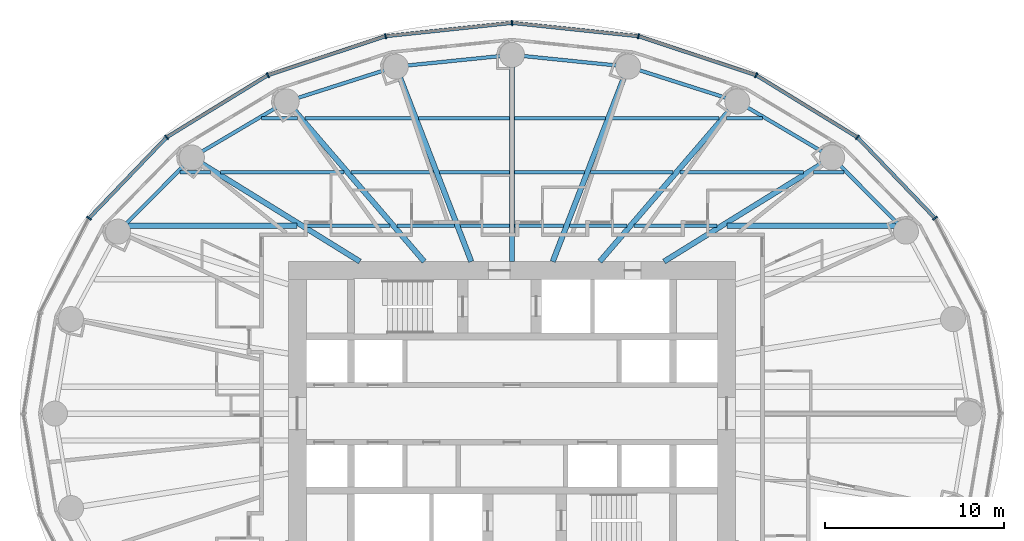
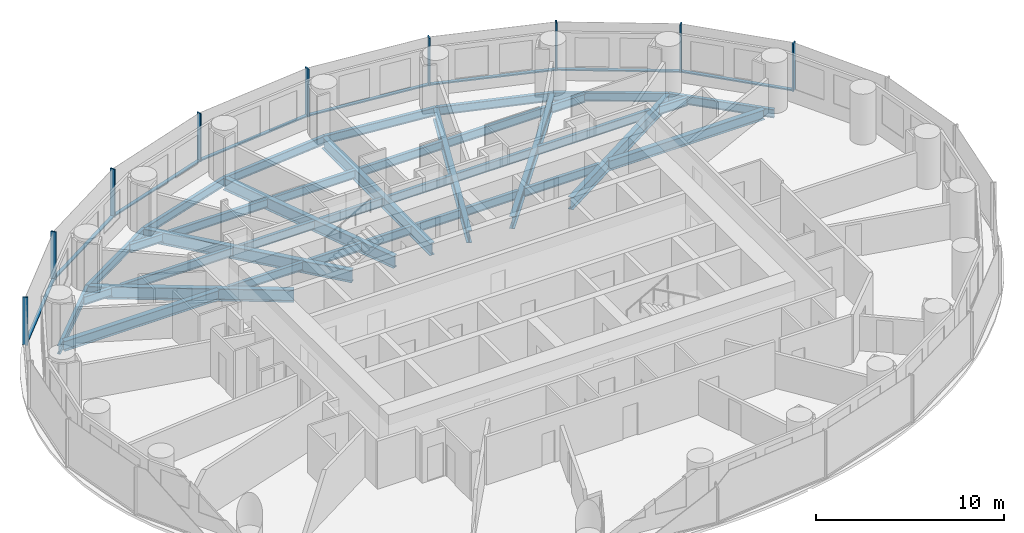
# One storey, part 4 of 14: 37 beams, 17 members, 2 elements without a shape of their own.
"""IFC4 building model written with IfcOpenShell, lengths in metres."""

from ifc_helpers import new_model, si_unit, direction, frame, origin, origin_2d, place, context, subcontext, project, spatial, rectangle, i_section, extrude, material, material_profile, profile_set, type_object, element, aggregate, save


model = new_model("IFC4")

# Units and contexts
model_context = context("Model", 3, precision=1e-05, world=origin(), true_north=direction((0.0, 1.0)))
body_context = subcontext(model_context, "Body", "Model", "MODEL_VIEW")
ifc_project = project(units=[si_unit("LENGTHUNIT", "METRE"), si_unit("AREAUNIT", "SQUARE_METRE"), si_unit("VOLUMEUNIT", "CUBIC_METRE"), si_unit("PLANEANGLEUNIT", "RADIAN"), si_unit("MASSUNIT", "GRAM", prefix="KILO")], contexts=[model_context])

# Site, building, storey
site_placement = place(None, origin())
site = spatial("IfcSite", under=ifc_project, at=site_placement, CompositionType="ELEMENT")
building_placement = place(site_placement, origin())
building = spatial("IfcBuilding", under=site, at=building_placement, Name="Hankou Lantern Tower", CompositionType="ELEMENT")
storey_placement = place(building_placement, frame((0.0, 0.0, 87.0)))
storey = spatial("IfcBuildingStorey", under=building, at=storey_placement, Name="L22", CompositionType="ELEMENT", Elevation=87.0)

# Beams
ifc_material_1 = material(Name="Steel Q355B", Category="steel")
ifc_material_profile_1 = material_profile(ifc_material_1, i_section(OverallWidth=0.199951171875, OverallDepth=0.550048828125, WebThickness=0.010009765625, FlangeThickness=0.01611328125, FilletRadius=0.012939453125, at=origin_2d()), Name="HN550x200x10x16")
ifc_profile_set_1 = profile_set([ifc_material_profile_1], Name="Steel Q355B")
beam_type_1 = type_object("IfcBeamType", Name="EB6 RING BEAM HN550x200x10x16", PredefinedType="SPANDREL", material=ifc_profile_set_1)
beam_1_placement = place(storey_placement, frame((22.01904296875, 10.170166015625, -0.455078125), z_axis=(-0.705727798394, 0.708483079949, 0.0), x_axis=(-0.708483079949, -0.705727798394, 0.0)))
element("IfcBeam", 1, at=beam_1_placement, inside=storey, type_object=beam_type_1, Name="Ring beam R03-R04 L22", PredefinedType="SPANDREL", context=body_context, shape_type="SweptSolid", body=[
    extrude(i_section(OverallWidth=0.199951171875, OverallDepth=0.550048828125, WebThickness=0.010009765625, FlangeThickness=0.01611328125, FilletRadius=0.012939453125, at=origin_2d()), origin(), (0.0, 0.0, 1.0), 5.84814453125),
])
beam_2_placement = place(storey_placement, frame((17.891845703125, 14.3134765625, -0.455078125), z_axis=(-0.860881533543, 0.508805449268, 0.0), x_axis=(-0.508805449268, -0.860881533543, 0.0)))
element("IfcBeam", 2, at=beam_2_placement, inside=storey, type_object=beam_type_1, Name="Ring beam R04-R05 L22", PredefinedType="SPANDREL", context=body_context, shape_type="SweptSolid", body=[
    extrude(i_section(OverallWidth=0.199951171875, OverallDepth=0.550048828125, WebThickness=0.010009765625, FlangeThickness=0.01611328125, FilletRadius=0.012939453125, at=origin_2d()), origin(), (0.0, 0.0, 1.0), 6.15771484375),
])
beam_3_placement = place(storey_placement, frame((12.5908203125, 17.446533203125, -0.455078125), z_axis=(-0.952690479428, 0.303942182671, 0.0), x_axis=(-0.303942182671, -0.952690479428, 0.0)))
element("IfcBeam", 3, at=beam_3_placement, inside=storey, type_object=beam_type_1, Name="Ring beam R05-R06 L22", PredefinedType="SPANDREL", context=body_context, shape_type="SweptSolid", body=[
    extrude(i_section(OverallWidth=0.199951171875, OverallDepth=0.550048828125, WebThickness=0.010009765625, FlangeThickness=0.01611328125, FilletRadius=0.012939453125, at=origin_2d()), origin(), (0.0, 0.0, 1.0), 6.398681640625),
])
for number, where, z_axis, x_axis, name in (
    (4, (6.494873046875, 19.391357421875, -0.455078125), (-0.994896616842, 0.100899562915, 0.0), (-0.100899562915, -0.994896616842, 0.0), "Ring beam R06-R07 L22"),
    (5, (0.0, 20.050048828125, -0.455078125), (-0.994896616842, -0.100899562915, 0.0), (0.100899562915, -0.994896616842, 0.0), "Ring beam R07-R08 L22"),
):
    element("IfcBeam", number, at=place(storey_placement, frame(where, z_axis=z_axis, x_axis=x_axis)), inside=storey, type_object=beam_type_1, Name=name, PredefinedType="SPANDREL", context=body_context, shape_type="SweptSolid", body=[
        extrude(i_section(OverallWidth=0.199951171875, OverallDepth=0.550048828125, WebThickness=0.010009765625, FlangeThickness=0.01611328125, FilletRadius=0.012939453125, at=origin_2d()), origin(), (0.0, 0.0, 1.0), 6.528076171875),
    ])
beam_4_placement = place(storey_placement, frame((-6.494873046875, 19.391357421875, -0.455078125), z_axis=(-0.952690479428, -0.303942182671, 0.0), x_axis=(0.303942182671, -0.952690479428, 0.0)))
element("IfcBeam", 6, at=beam_4_placement, inside=storey, type_object=beam_type_1, Name="Ring beam R08-R09 L22", PredefinedType="SPANDREL", context=body_context, shape_type="SweptSolid", body=[
    extrude(i_section(OverallWidth=0.199951171875, OverallDepth=0.550048828125, WebThickness=0.010009765625, FlangeThickness=0.01611328125, FilletRadius=0.012939453125, at=origin_2d()), origin(), (0.0, 0.0, 1.0), 6.398681640625),
])
beam_5_placement = place(storey_placement, frame((-12.5908203125, 17.446533203125, -0.455078125), z_axis=(-0.860881533543, -0.508805449268, 0.0), x_axis=(0.508805449268, -0.860881533543, 0.0)))
element("IfcBeam", 7, at=beam_5_placement, inside=storey, type_object=beam_type_1, Name="Ring beam R09-R10 L22", PredefinedType="SPANDREL", context=body_context, shape_type="SweptSolid", body=[
    extrude(i_section(OverallWidth=0.199951171875, OverallDepth=0.550048828125, WebThickness=0.010009765625, FlangeThickness=0.01611328125, FilletRadius=0.012939453125, at=origin_2d()), origin(), (0.0, 0.0, 1.0), 6.15771484375),
])
beam_6_placement = place(storey_placement, frame((-17.891845703125, 14.3134765625, -0.455078125), z_axis=(-0.705727798394, -0.708483079949, 0.0), x_axis=(0.708483079949, -0.705727798394, 0.0)))
element("IfcBeam", 8, at=beam_6_placement, inside=storey, type_object=beam_type_1, Name="Ring beam R10-R11 L22", PredefinedType="SPANDREL", context=body_context, shape_type="SweptSolid", body=[
    extrude(i_section(OverallWidth=0.199951171875, OverallDepth=0.550048828125, WebThickness=0.010009765625, FlangeThickness=0.01611328125, FilletRadius=0.012939453125, at=origin_2d()), origin(), (0.0, 0.0, 1.0), 5.84814453125),
])

# Curtain wall, members
ifc_material_2 = material(Name="Glass, dark grey tinted laminated", Category="glass")
curtain_wall_type = type_object("IfcCurtainWallType", Name="CWA OUTER SKIN LOW-RISE", PredefinedType="USERDEFINED", material=ifc_material_2)
curtain_wall_1_placement = place(storey_placement, origin())
curtain_wall_1 = element("IfcCurtainWall", 9, at=curtain_wall_1_placement, inside=storey, type_object=curtain_wall_type, Name="CWA L22 OS1", ObjectType="OUTER SKIN LOW-RISE", PredefinedType="USERDEFINED")
ifc_material_3 = material(Name="Aluminium, black anodised", Category="aluminium")
ifc_material_profile_2 = material_profile(ifc_material_3, rectangle(XDim=0.080078125, YDim=0.300048828125, at=origin_2d()), Name="MU1 80X300")
ifc_profile_set_2 = profile_set([ifc_material_profile_2], Name="Aluminium, black anodised")
member_type_1 = type_object("IfcMemberType", Name="MU1 OUTER SKIN MULLION 80X300", PredefinedType="MULLION", material=ifc_profile_set_2)
member_1_placement = place(storey_placement, frame((23.642578125, 10.919921875, 0.0), z_axis=(0.0, 0.0, 1.0), x_axis=(-0.585205735974, 0.810884854084, 0.0)))
member_1 = element("IfcMember", 10, at=member_1_placement, type_object=member_type_1, Name="CWA mullion 3", PredefinedType="MULLION", context=body_context, shape_type="SweptSolid", body=[
    extrude(rectangle(XDim=0.080078125, YDim=0.300048828125, at=origin_2d()), origin(), (0.0, 0.0, 1.0), 3.1201171875),
])
member_2_placement = place(storey_placement, frame((19.303955078125, 15.443115234375, 0.0), z_axis=(0.0, 0.0, 1.0), x_axis=(-0.780868809444, 0.624695047553, 0.0)))
member_2 = element("IfcMember", 11, at=member_2_placement, type_object=member_type_1, Name="CWA mullion 4", PredefinedType="MULLION", context=body_context, shape_type="SweptSolid", body=[
    extrude(rectangle(XDim=0.080078125, YDim=0.300048828125, at=origin_2d()), origin(), (0.0, 0.0, 1.0), 3.1201171875),
])
member_3_placement = place(storey_placement, frame((13.64990234375, 18.9140625, 0.0), z_axis=(0.0, 0.0, 1.0), x_axis=(-0.907841299004, 0.419313934686, 0.0)))
member_3 = element("IfcMember", 12, at=member_3_placement, type_object=member_type_1, Name="CWA mullion 5", PredefinedType="MULLION", context=body_context, shape_type="SweptSolid", body=[
    extrude(rectangle(XDim=0.080078125, YDim=0.300048828125, at=origin_2d()), origin(), (0.0, 0.0, 1.0), 3.1201171875),
])
member_4_placement = place(storey_placement, frame((7.065673828125, 21.095703125, 0.0), z_axis=(0.0, 0.0, 1.0), x_axis=(-0.977787659625, 0.209597931016, 0.0)))
member_4 = element("IfcMember", 13, at=member_4_placement, type_object=member_type_1, Name="CWA mullion 6", PredefinedType="MULLION", context=body_context, shape_type="SweptSolid", body=[
    extrude(rectangle(XDim=0.080078125, YDim=0.300048828125, at=origin_2d()), origin(), (0.0, 0.0, 1.0), 3.1201171875),
])

curtain_wall_2_placement = place(storey_placement, origin())
curtain_wall_2 = element("IfcCurtainWall", 14, at=curtain_wall_2_placement, inside=storey, type_object=curtain_wall_type, Name="CWA L22 OS2", ObjectType="OUTER SKIN LOW-RISE", PredefinedType="USERDEFINED")
member_5_placement = place(storey_placement, frame((0.0, 21.840087890625, 0.0), z_axis=(0.0, 0.0, 1.0), x_axis=(-0.994499359107, -0.104742659579, 0.0)))
member_5 = element("IfcMember", 15, at=member_5_placement, type_object=member_type_1, Name="CWA mullion 1", PredefinedType="MULLION", context=body_context, shape_type="SweptSolid", body=[
    extrude(rectangle(XDim=0.080078125, YDim=0.300048828125, at=origin_2d()), origin(), (0.0, 0.0, 1.0), 3.1201171875),
])
member_6_placement = place(storey_placement, frame((-7.065673828125, 21.095703125, 0.0), z_axis=(0.0, 0.0, 1.0), x_axis=(-0.977787659625, -0.209597931016, 0.0)))
member_6 = element("IfcMember", 16, at=member_6_placement, type_object=member_type_1, Name="CWA mullion 2", PredefinedType="MULLION", context=body_context, shape_type="SweptSolid", body=[
    extrude(rectangle(XDim=0.080078125, YDim=0.300048828125, at=origin_2d()), origin(), (0.0, 0.0, 1.0), 3.1201171875),
])
member_7_placement = place(storey_placement, frame((-13.64990234375, 18.9140625, 0.0), z_axis=(0.0, 0.0, 1.0), x_axis=(-0.907841299004, -0.419313934686, 0.0)))
member_7 = element("IfcMember", 17, at=member_7_placement, type_object=member_type_1, Name="CWA mullion 3", PredefinedType="MULLION", context=body_context, shape_type="SweptSolid", body=[
    extrude(rectangle(XDim=0.080078125, YDim=0.300048828125, at=origin_2d()), origin(), (0.0, 0.0, 1.0), 3.1201171875),
])
member_8_placement = place(storey_placement, frame((-19.303955078125, 15.443115234375, 0.0), z_axis=(0.0, 0.0, 1.0), x_axis=(-0.780868809444, -0.624695047553, 0.0)))
member_8 = element("IfcMember", 18, at=member_8_placement, type_object=member_type_1, Name="CWA mullion 4", PredefinedType="MULLION", context=body_context, shape_type="SweptSolid", body=[
    extrude(rectangle(XDim=0.080078125, YDim=0.300048828125, at=origin_2d()), origin(), (0.0, 0.0, 1.0), 3.1201171875),
])
member_9_placement = place(storey_placement, frame((-23.642578125, 10.919921875, 0.0), z_axis=(0.0, 0.0, 1.0), x_axis=(-0.585205735974, -0.810884854084, 0.0)))
member_9 = element("IfcMember", 19, at=member_9_placement, type_object=member_type_1, Name="CWA mullion 5", PredefinedType="MULLION", context=body_context, shape_type="SweptSolid", body=[
    extrude(rectangle(XDim=0.080078125, YDim=0.300048828125, at=origin_2d()), origin(), (0.0, 0.0, 1.0), 3.1201171875),
])

# Beams
ifc_material_4 = material(Name="Steel Q355B", Category="steel")
ifc_material_profile_3 = material_profile(ifc_material_4, i_section(OverallWidth=0.300048828125, OverallDepth=0.800048828125, WebThickness=0.013916015625, FlangeThickness=0.02587890625, FilletRadius=0.01806640625, at=origin_2d()), Name="HN800x300x14x26")
ifc_profile_set_3 = profile_set([ifc_material_profile_3], Name="Steel Q355B")
beam_type_2 = type_object("IfcBeamType", Name="RB11 RADIAL BEAM HN800x300x14x26", PredefinedType="BEAM", material=ifc_profile_set_3)
beam_7_placement = place(storey_placement, frame((8.5, 8.5, -0.580078125), z_axis=(0.850286343288, 0.526320372414, 0.0), x_axis=(-0.526320372414, 0.850286343288, 0.0)))
element("IfcBeam", 20, at=beam_7_placement, inside=storey, type_object=beam_type_2, Name="Radial beam R04 L22", PredefinedType="BEAM", context=body_context, shape_type="SweptSolid", body=[
    extrude(i_section(OverallWidth=0.300048828125, OverallDepth=0.800048828125, WebThickness=0.013916015625, FlangeThickness=0.02587890625, FilletRadius=0.01806640625, at=origin_2d()), origin(), (0.0, 0.0, 1.0), 11.04541015625),
])
beam_8_placement = place(storey_placement, frame((4.907470703125, 8.5, -0.580078125), z_axis=(0.651519061225, 0.758632264579, 0.0), x_axis=(-0.758632264579, 0.651519061225, 0.0)))
element("IfcBeam", 21, at=beam_8_placement, inside=storey, type_object=beam_type_2, Name="Radial beam R05 L22", PredefinedType="BEAM", context=body_context, shape_type="SweptSolid", body=[
    extrude(i_section(OverallWidth=0.300048828125, OverallDepth=0.800048828125, WebThickness=0.013916015625, FlangeThickness=0.02587890625, FilletRadius=0.01806640625, at=origin_2d()), origin(), (0.0, 0.0, 1.0), 11.79296875),
])
beam_9_placement = place(storey_placement, frame((2.277587890625, 8.5, -0.580078125), z_axis=(0.361089103374, 0.932531318201, 0.0), x_axis=(-0.932531318201, 0.361089103374, 0.0)))
element("IfcBeam", 22, at=beam_9_placement, inside=storey, type_object=beam_type_2, Name="Radial beam R06 L22", PredefinedType="BEAM", context=body_context, shape_type="SweptSolid", body=[
    extrude(i_section(OverallWidth=0.300048828125, OverallDepth=0.800048828125, WebThickness=0.013916015625, FlangeThickness=0.02587890625, FilletRadius=0.01806640625, at=origin_2d()), origin(), (0.0, 0.0, 1.0), 11.679443359375),
])
beam_10_placement = place(storey_placement, frame((0.0, 8.5, -0.580078125), z_axis=(0.0, 1.0, 0.0), x_axis=(-1.0, 0.0, 0.0)))
element("IfcBeam", 23, at=beam_10_placement, inside=storey, type_object=beam_type_2, Name="Radial beam R07 L22", PredefinedType="BEAM", context=body_context, shape_type="SweptSolid", body=[
    extrude(i_section(OverallWidth=0.300048828125, OverallDepth=0.800048828125, WebThickness=0.013916015625, FlangeThickness=0.02587890625, FilletRadius=0.01806640625, at=origin_2d()), origin(), (0.0, 0.0, 1.0), 11.550048828125),
])
beam_11_placement = place(storey_placement, frame((-2.277587890625, 8.5, -0.580078125), z_axis=(-0.361089103374, 0.932531318201, 0.0), x_axis=(-0.932531318201, -0.361089103374, 0.0)))
element("IfcBeam", 24, at=beam_11_placement, inside=storey, type_object=beam_type_2, Name="Radial beam R08 L22", PredefinedType="BEAM", context=body_context, shape_type="SweptSolid", body=[
    extrude(i_section(OverallWidth=0.300048828125, OverallDepth=0.800048828125, WebThickness=0.013916015625, FlangeThickness=0.02587890625, FilletRadius=0.01806640625, at=origin_2d()), origin(), (0.0, 0.0, 1.0), 11.679443359375),
])
beam_12_placement = place(storey_placement, frame((-4.907470703125, 8.5, -0.580078125), z_axis=(-0.651519061225, 0.758632264579, 0.0), x_axis=(-0.758632264579, -0.651519061225, 0.0)))
element("IfcBeam", 25, at=beam_12_placement, inside=storey, type_object=beam_type_2, Name="Radial beam R09 L22", PredefinedType="BEAM", context=body_context, shape_type="SweptSolid", body=[
    extrude(i_section(OverallWidth=0.300048828125, OverallDepth=0.800048828125, WebThickness=0.013916015625, FlangeThickness=0.02587890625, FilletRadius=0.01806640625, at=origin_2d()), origin(), (0.0, 0.0, 1.0), 11.79296875),
])
beam_13_placement = place(storey_placement, frame((-8.5, 8.5, -0.580078125), z_axis=(-0.850286343288, 0.526320372414, 0.0), x_axis=(-0.526320372414, -0.850286343288, 0.0)))
element("IfcBeam", 26, at=beam_13_placement, inside=storey, type_object=beam_type_2, Name="Radial beam R10 L22", PredefinedType="BEAM", context=body_context, shape_type="SweptSolid", body=[
    extrude(i_section(OverallWidth=0.300048828125, OverallDepth=0.800048828125, WebThickness=0.013916015625, FlangeThickness=0.02587890625, FilletRadius=0.01806640625, at=origin_2d()), origin(), (0.0, 0.0, 1.0), 11.04541015625),
])
ifc_material_5 = material(Name="Steel Q355B", Category="steel")
ifc_material_profile_4 = material_profile(ifc_material_5, i_section(OverallWidth=0.199951171875, OverallDepth=0.550048828125, WebThickness=0.010009765625, FlangeThickness=0.01611328125, FilletRadius=0.012939453125, at=origin_2d()), Name="HN550x200x10x16")
ifc_profile_set_4 = profile_set([ifc_material_profile_4], Name="Steel Q355B")
beam_type_3 = type_object("IfcBeamType", Name="SB6 SECONDARY BEAM HN550x200x10x16", PredefinedType="JOIST", material=ifc_profile_set_4)
beam_14_placement = place(storey_placement, frame((-11.446044921875, 10.5, -0.455078125), z_axis=(1.0, 0.0, 0.0), x_axis=(0.0, 1.0, 0.0)))
element("IfcBeam", 27, at=beam_14_placement, inside=storey, type_object=beam_type_3, Name="Floor joist J040 L22", PredefinedType="JOIST", context=body_context, shape_type="SweptSolid", body=[
    extrude(i_section(OverallWidth=0.199951171875, OverallDepth=0.550048828125, WebThickness=0.010009765625, FlangeThickness=0.01611328125, FilletRadius=0.012939453125, at=origin_2d()), origin(), (0.0, 0.0, 1.0), 4.623291015625),
])
beam_15_placement = place(storey_placement, frame((-6.427490234375, 10.5, -0.455078125), z_axis=(1.0, 0.0, 0.0), x_axis=(0.0, 1.0, 0.0)))
element("IfcBeam", 28, at=beam_15_placement, inside=storey, type_object=beam_type_3, Name="Floor joist J041 L22", PredefinedType="JOIST", context=body_context, shape_type="SweptSolid", body=[
    extrude(i_section(OverallWidth=0.199951171875, OverallDepth=0.550048828125, WebThickness=0.010009765625, FlangeThickness=0.01611328125, FilletRadius=0.012939453125, at=origin_2d()), origin(), (0.0, 0.0, 1.0), 3.214599609375),
])
for number, where, z_axis, x_axis, name in (
    (29, (-2.89111328125, 10.5, -0.455078125), (1.0, 0.0, 0.0), (0.0, 1.0, 0.0), "Floor joist J042 L22"),
    (30, (0.14990234375, 10.5, -0.455078125), (1.0, 0.0, 0.0), (0.0, 1.0, 0.0), "Floor joist J043 L22"),
):
    element("IfcBeam", number, at=place(storey_placement, frame(where, z_axis=z_axis, x_axis=x_axis)), inside=storey, type_object=beam_type_3, Name=name, PredefinedType="JOIST", context=body_context, shape_type="SweptSolid", body=[
        extrude(i_section(OverallWidth=0.199951171875, OverallDepth=0.550048828125, WebThickness=0.010009765625, FlangeThickness=0.01611328125, FilletRadius=0.012939453125, at=origin_2d()), origin(), (0.0, 0.0, 1.0), 2.7412109375),
    ])
beam_16_placement = place(storey_placement, frame((3.212890625, 10.5, -0.455078125), z_axis=(1.0, 0.0, 0.0), x_axis=(0.0, 1.0, 0.0)))
element("IfcBeam", 31, at=beam_16_placement, inside=storey, type_object=beam_type_3, Name="Floor joist J044 L22", PredefinedType="JOIST", context=body_context, shape_type="SweptSolid", body=[
    extrude(i_section(OverallWidth=0.199951171875, OverallDepth=0.550048828125, WebThickness=0.010009765625, FlangeThickness=0.01611328125, FilletRadius=0.012939453125, at=origin_2d()), origin(), (0.0, 0.0, 1.0), 3.214599609375),
])
beam_17_placement = place(storey_placement, frame((6.82275390625, 10.5, -0.455078125), z_axis=(1.0, 0.0, 0.0), x_axis=(0.0, 1.0, 0.0)))
element("IfcBeam", 32, at=beam_17_placement, inside=storey, type_object=beam_type_3, Name="Floor joist J045 L22", PredefinedType="JOIST", context=body_context, shape_type="SweptSolid", body=[
    extrude(i_section(OverallWidth=0.199951171875, OverallDepth=0.550048828125, WebThickness=0.010009765625, FlangeThickness=0.01611328125, FilletRadius=0.012939453125, at=origin_2d()), origin(), (0.0, 0.0, 1.0), 4.623291015625),
])
beam_18_placement = place(storey_placement, frame((-18.560791015625, 13.5, -0.455078125), z_axis=(1.0, 0.0, 0.0), x_axis=(0.0, 1.0, 0.0)))
element("IfcBeam", 33, at=beam_18_placement, inside=storey, type_object=beam_type_3, Name="Floor joist J047 L22", PredefinedType="JOIST", context=body_context, shape_type="SweptSolid", body=[
    extrude(i_section(OverallWidth=0.199951171875, OverallDepth=0.550048828125, WebThickness=0.010009765625, FlangeThickness=0.01611328125, FilletRadius=0.012939453125, at=origin_2d()), origin(), (0.0, 0.0, 1.0), 1.697998046875),
])
beam_19_placement = place(storey_placement, frame((-16.292724609375, 13.5, -0.455078125), z_axis=(1.0, 0.0, 0.0), x_axis=(0.0, 1.0, 0.0)))
element("IfcBeam", 34, at=beam_19_placement, inside=storey, type_object=beam_type_3, Name="Floor joist J048 L22", PredefinedType="JOIST", context=body_context, shape_type="SweptSolid", body=[
    extrude(i_section(OverallWidth=0.199951171875, OverallDepth=0.550048828125, WebThickness=0.010009765625, FlangeThickness=0.01611328125, FilletRadius=0.012939453125, at=origin_2d()), origin(), (0.0, 0.0, 1.0), 6.893310546875),
])
beam_20_placement = place(storey_placement, frame((-9.00390625, 13.5, -0.455078125), z_axis=(1.0, 0.0, 0.0), x_axis=(0.0, 1.0, 0.0)))
element("IfcBeam", 35, at=beam_20_placement, inside=storey, type_object=beam_type_3, Name="Floor joist J049 L22", PredefinedType="JOIST", context=body_context, shape_type="SweptSolid", body=[
    extrude(i_section(OverallWidth=0.199951171875, OverallDepth=0.550048828125, WebThickness=0.010009765625, FlangeThickness=0.01611328125, FilletRadius=0.012939453125, at=origin_2d()), origin(), (0.0, 0.0, 1.0), 4.62939453125),
])
for number, where, z_axis, x_axis, name in (
    (36, (-4.052734375, 13.5, -0.455078125), (1.0, 0.0, 0.0), (0.0, 1.0, 0.0), "Floor joist J050 L22"),
    (37, (0.14990234375, 13.5, -0.455078125), (1.0, 0.0, 0.0), (0.0, 1.0, 0.0), "Floor joist J051 L22"),
):
    element("IfcBeam", number, at=place(storey_placement, frame(where, z_axis=z_axis, x_axis=x_axis)), inside=storey, type_object=beam_type_3, Name=name, PredefinedType="JOIST", context=body_context, shape_type="SweptSolid", body=[
        extrude(i_section(OverallWidth=0.199951171875, OverallDepth=0.550048828125, WebThickness=0.010009765625, FlangeThickness=0.01611328125, FilletRadius=0.012939453125, at=origin_2d()), origin(), (0.0, 0.0, 1.0), 3.90283203125),
    ])
beam_21_placement = place(storey_placement, frame((4.37451171875, 13.5, -0.455078125), z_axis=(1.0, 0.0, 0.0), x_axis=(0.0, 1.0, 0.0)))
element("IfcBeam", 38, at=beam_21_placement, inside=storey, type_object=beam_type_3, Name="Floor joist J052 L22", PredefinedType="JOIST", context=body_context, shape_type="SweptSolid", body=[
    extrude(i_section(OverallWidth=0.199951171875, OverallDepth=0.550048828125, WebThickness=0.010009765625, FlangeThickness=0.01611328125, FilletRadius=0.012939453125, at=origin_2d()), origin(), (0.0, 0.0, 1.0), 4.62939453125),
])
beam_22_placement = place(storey_placement, frame((9.3994140625, 13.5, -0.455078125), z_axis=(1.0, 0.0, 0.0), x_axis=(0.0, 1.0, 0.0)))
element("IfcBeam", 39, at=beam_22_placement, inside=storey, type_object=beam_type_3, Name="Floor joist J053 L22", PredefinedType="JOIST", context=body_context, shape_type="SweptSolid", body=[
    extrude(i_section(OverallWidth=0.199951171875, OverallDepth=0.550048828125, WebThickness=0.010009765625, FlangeThickness=0.01611328125, FilletRadius=0.012939453125, at=origin_2d()), origin(), (0.0, 0.0, 1.0), 6.893310546875),
])
beam_23_placement = place(storey_placement, frame((16.86279296875, 13.5, -0.455078125), z_axis=(1.0, 0.0, 0.0), x_axis=(0.0, 1.0, 0.0)))
element("IfcBeam", 40, at=beam_23_placement, inside=storey, type_object=beam_type_3, Name="Floor joist J054 L22", PredefinedType="JOIST", context=body_context, shape_type="SweptSolid", body=[
    extrude(i_section(OverallWidth=0.199951171875, OverallDepth=0.550048828125, WebThickness=0.010009765625, FlangeThickness=0.01611328125, FilletRadius=0.012939453125, at=origin_2d()), origin(), (0.0, 0.0, 1.0), 1.697998046875),
])
beam_24_placement = place(storey_placement, frame((-13.99560546875, 16.5, -0.455078125), z_axis=(1.0, 0.0, 0.0), x_axis=(0.0, 1.0, 0.0)))
element("IfcBeam", 41, at=beam_24_placement, inside=storey, type_object=beam_type_3, Name="Floor joist J055 L22", PredefinedType="JOIST", context=body_context, shape_type="SweptSolid", body=[
    extrude(i_section(OverallWidth=0.199951171875, OverallDepth=0.550048828125, WebThickness=0.010009765625, FlangeThickness=0.01611328125, FilletRadius=0.012939453125, at=origin_2d()), origin(), (0.0, 0.0, 1.0), 2.019775390625),
])
beam_25_placement = place(storey_placement, frame((-11.580322265625, 16.5, -0.455078125), z_axis=(1.0, 0.0, 0.0), x_axis=(0.0, 1.0, 0.0)))
element("IfcBeam", 42, at=beam_25_placement, inside=storey, type_object=beam_type_3, Name="Floor joist J056 L22", PredefinedType="JOIST", context=body_context, shape_type="SweptSolid", body=[
    extrude(i_section(OverallWidth=0.199951171875, OverallDepth=0.550048828125, WebThickness=0.010009765625, FlangeThickness=0.01611328125, FilletRadius=0.012939453125, at=origin_2d()), origin(), (0.0, 0.0, 1.0), 6.044189453125),
])
for number, where, z_axis, x_axis, name in (
    (43, (-5.21435546875, 16.5, -0.455078125), (1.0, 0.0, 0.0), (0.0, 1.0, 0.0), "Floor joist J057 L22"),
    (44, (0.14990234375, 16.5, -0.455078125), (1.0, 0.0, 0.0), (0.0, 1.0, 0.0), "Floor joist J058 L22"),
):
    element("IfcBeam", number, at=place(storey_placement, frame(where, z_axis=z_axis, x_axis=x_axis)), inside=storey, type_object=beam_type_3, Name=name, PredefinedType="JOIST", context=body_context, shape_type="SweptSolid", body=[
        extrude(i_section(OverallWidth=0.199951171875, OverallDepth=0.550048828125, WebThickness=0.010009765625, FlangeThickness=0.01611328125, FilletRadius=0.012939453125, at=origin_2d()), origin(), (0.0, 0.0, 1.0), 5.064453125),
    ])
beam_26_placement = place(storey_placement, frame((5.5361328125, 16.5, -0.455078125), z_axis=(1.0, 0.0, 0.0), x_axis=(0.0, 1.0, 0.0)))
element("IfcBeam", 45, at=beam_26_placement, inside=storey, type_object=beam_type_3, Name="Floor joist J059 L22", PredefinedType="JOIST", context=body_context, shape_type="SweptSolid", body=[
    extrude(i_section(OverallWidth=0.199951171875, OverallDepth=0.550048828125, WebThickness=0.010009765625, FlangeThickness=0.01611328125, FilletRadius=0.012939453125, at=origin_2d()), origin(), (0.0, 0.0, 1.0), 6.044189453125),
])
beam_27_placement = place(storey_placement, frame((11.975830078125, 16.5, -0.455078125), z_axis=(1.0, 0.0, 0.0), x_axis=(0.0, 1.0, 0.0)))
element("IfcBeam", 46, at=beam_27_placement, inside=storey, type_object=beam_type_3, Name="Floor joist J060 L22", PredefinedType="JOIST", context=body_context, shape_type="SweptSolid", body=[
    extrude(i_section(OverallWidth=0.199951171875, OverallDepth=0.550048828125, WebThickness=0.010009765625, FlangeThickness=0.01611328125, FilletRadius=0.012939453125, at=origin_2d()), origin(), (0.0, 0.0, 1.0), 2.019775390625),
])
ifc_material_6 = material(Name="Steel Q355B", Category="steel")
ifc_material_profile_5 = material_profile(ifc_material_6, i_section(OverallWidth=0.300048828125, OverallDepth=0.64990234375, WebThickness=0.010986328125, FlangeThickness=0.01708984375, FilletRadius=0.01806640625, at=origin_2d()), Name="HN650x300x11x17")
ifc_profile_set_5 = profile_set([ifc_material_profile_5], Name="Steel Q355B")
beam_type_4 = type_object("IfcBeamType", Name="SB8 SECONDARY BEAM HN650x300x11x17", PredefinedType="JOIST", material=ifc_profile_set_5)
for number, where, z_axis, x_axis, name in (
    (47, (-21.54931640625, 10.5, -0.5048828125), (1.0, 0.0, 0.0), (0.0, 1.0, 0.0), "Floor joist J039 L22"),
    (48, (12.01611328125, 10.5, -0.5048828125), (1.0, 0.0, 0.0), (0.0, 1.0, 0.0), "Floor joist J046 L22"),
):
    element("IfcBeam", number, at=place(storey_placement, frame(where, z_axis=z_axis, x_axis=x_axis)), inside=storey, type_object=beam_type_4, Name=name, PredefinedType="JOIST", context=body_context, shape_type="SweptSolid", body=[
        extrude(i_section(OverallWidth=0.300048828125, OverallDepth=0.64990234375, WebThickness=0.010986328125, FlangeThickness=0.01708984375, FilletRadius=0.01806640625, at=origin_2d()), origin(), (0.0, 0.0, 1.0), 9.533203125),
    ])

# Member
ifc_material_7 = material(Name="Aluminium, black anodised", Category="aluminium")
ifc_material_profile_6 = material_profile(ifc_material_7, rectangle(XDim=0.199951171875, YDim=0.080078125, at=origin_2d()), Name="TR1 200X80")
ifc_profile_set_6 = profile_set([ifc_material_profile_6], Name="Aluminium, black anodised")
member_type_2 = type_object("IfcMemberType", Name="TR1 OUTER SKIN TRANSOM 200X80", PredefinedType="USERDEFINED", material=ifc_profile_set_6)
member_10_placement = place(storey_placement, frame((23.61474609375, 10.948974609375, 0.0400390625), z_axis=(-0.692215537374, 0.721690827029, 0.0), x_axis=(-0.721690827029, -0.692215537374, 0.0)))
member_10 = element("IfcMember", 49, at=member_10_placement, type_object=member_type_2, Name="CWA transom 3", ObjectType="TRANSOM", PredefinedType="USERDEFINED", context=body_context, shape_type="SweptSolid", body=[
    extrude(rectangle(XDim=0.199951171875, YDim=0.080078125, at=origin_2d()), origin(), (0.0, 0.0, 1.0), 6.187255859375),
])

member_11_placement = place(storey_placement, frame((19.27001953125, 15.464111328125, 0.0400390625), z_axis=(-0.85223969557, 0.523151508929, 0.0), x_axis=(-0.523151508929, -0.85223969557, 0.0)))
member_11 = element("IfcMember", 50, at=member_11_placement, type_object=member_type_2, Name="CWA transom 4", ObjectType="TRANSOM", PredefinedType="USERDEFINED", context=body_context, shape_type="SweptSolid", body=[
    extrude(rectangle(XDim=0.199951171875, YDim=0.080078125, at=origin_2d()), origin(), (0.0, 0.0, 1.0), 6.554443359375),
])

member_12_placement = place(storey_placement, frame((13.612060546875, 18.926513671875, 0.0400390625), z_axis=(-0.949237318771, 0.314560825044, 0.0), x_axis=(-0.314560825044, -0.949237318771, 0.0)))
member_12 = element("IfcMember", 51, at=member_12_placement, type_object=member_type_2, Name="CWA transom 5", ObjectType="TRANSOM", PredefinedType="USERDEFINED", context=body_context, shape_type="SweptSolid", body=[
    extrude(rectangle(XDim=0.199951171875, YDim=0.080078125, at=origin_2d()), origin(), (0.0, 0.0, 1.0), 6.8564453125),
])

member_13_placement = place(storey_placement, frame((7.02587890625, 21.10009765625, 0.0400390625), z_axis=(-0.994502215033, 0.104715539888, 0.0), x_axis=(-0.104715539888, -0.994502215033, 0.0)))
member_13 = element("IfcMember", 52, at=member_13_placement, type_object=member_type_2, Name="CWA transom 6", ObjectType="TRANSOM", PredefinedType="USERDEFINED", context=body_context, shape_type="SweptSolid", body=[
    extrude(rectangle(XDim=0.199951171875, YDim=0.080078125, at=origin_2d()), origin(), (0.0, 0.0, 1.0), 7.024658203125),
])

aggregate(curtain_wall_1, [member_1, member_2, member_3, member_4, member_10, member_11, member_12, member_13])

member_14_placement = place(storey_placement, frame((-0.039794921875, 21.835693359375, 0.0400390625), z_axis=(-0.994502215033, -0.104715539888, 0.0), x_axis=(0.104715539888, -0.994502215033, 0.0)))
member_14 = element("IfcMember", 53, at=member_14_placement, type_object=member_type_2, Name="CWA transom 1", ObjectType="TRANSOM", PredefinedType="USERDEFINED", context=body_context, shape_type="SweptSolid", body=[
    extrude(rectangle(XDim=0.199951171875, YDim=0.080078125, at=origin_2d()), origin(), (0.0, 0.0, 1.0), 7.024658203125),
])

member_15_placement = place(storey_placement, frame((-7.103759765625, 21.083251953125, 0.0400390625), z_axis=(-0.949237318771, -0.314560825044, 0.0), x_axis=(0.314560825044, -0.949237318771, 0.0)))
member_15 = element("IfcMember", 54, at=member_15_placement, type_object=member_type_2, Name="CWA transom 2", ObjectType="TRANSOM", PredefinedType="USERDEFINED", context=body_context, shape_type="SweptSolid", body=[
    extrude(rectangle(XDim=0.199951171875, YDim=0.080078125, at=origin_2d()), origin(), (0.0, 0.0, 1.0), 6.8564453125),
])

member_16_placement = place(storey_placement, frame((-13.68408203125, 18.89306640625, 0.0400390625), z_axis=(-0.85223969557, -0.523151508929, 0.0), x_axis=(0.523151508929, -0.85223969557, 0.0)))
member_16 = element("IfcMember", 55, at=member_16_placement, type_object=member_type_2, Name="CWA transom 3", ObjectType="TRANSOM", PredefinedType="USERDEFINED", context=body_context, shape_type="SweptSolid", body=[
    extrude(rectangle(XDim=0.199951171875, YDim=0.080078125, at=origin_2d()), origin(), (0.0, 0.0, 1.0), 6.554443359375),
])

member_17_placement = place(storey_placement, frame((-19.331787109375, 15.414306640625, 0.0400390625), z_axis=(-0.692215537374, -0.721690827029, 0.0), x_axis=(0.721690827029, -0.692215537374, 0.0)))
member_17 = element("IfcMember", 56, at=member_17_placement, type_object=member_type_2, Name="CWA transom 4", ObjectType="TRANSOM", PredefinedType="USERDEFINED", context=body_context, shape_type="SweptSolid", body=[
    extrude(rectangle(XDim=0.199951171875, YDim=0.080078125, at=origin_2d()), origin(), (0.0, 0.0, 1.0), 6.187255859375),
])

aggregate(curtain_wall_2, [member_5, member_6, member_7, member_8, member_9, member_14, member_15, member_16, member_17])

save(model, "model.ifc")
